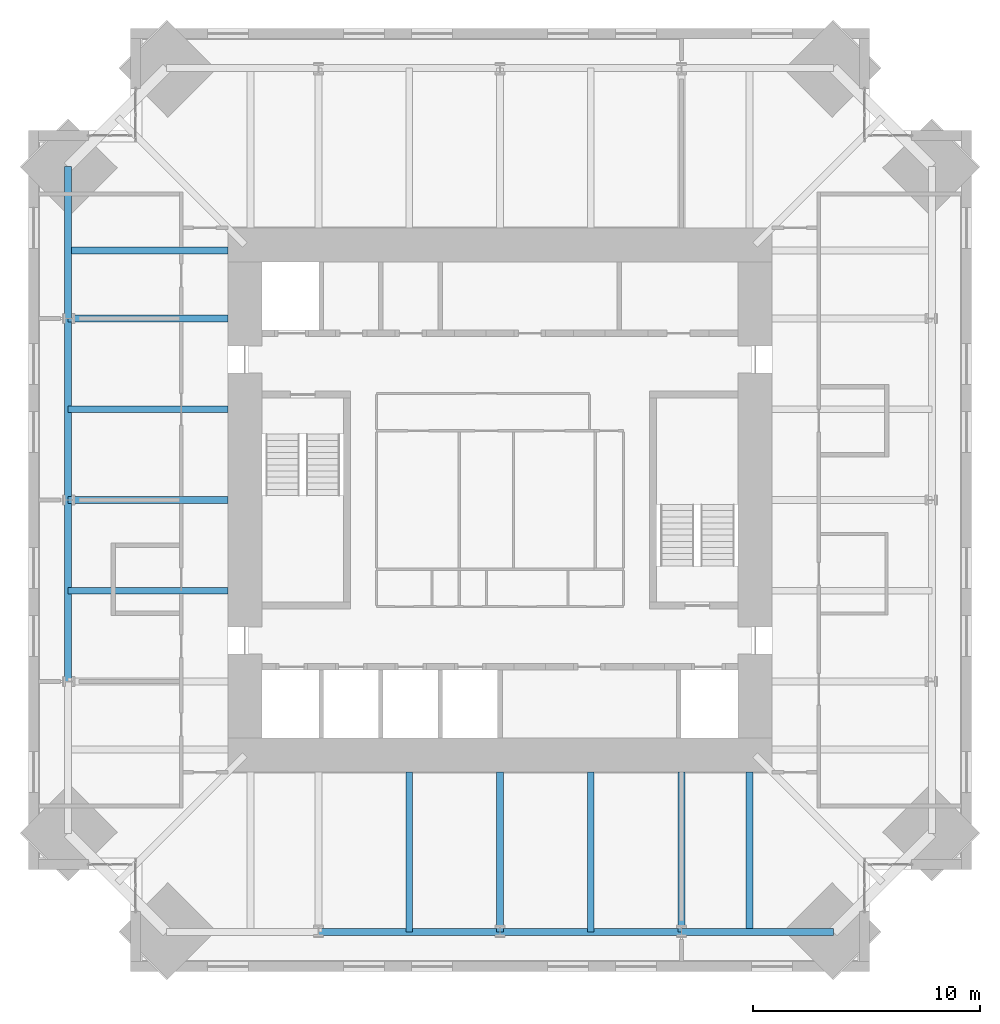
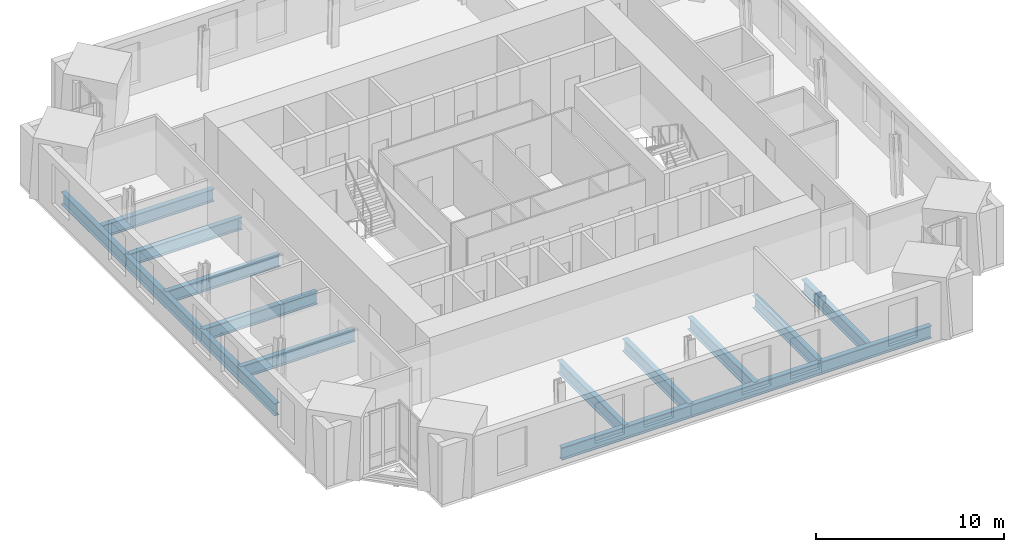
# One storey, part 3 of 15: 16 beams.
"""IFC4 building model written with IfcOpenShell, lengths in metres."""

from ifc_helpers import new_model, si_unit, direction, frame, origin, origin_2d, place, context, subcontext, project, spatial, i_section, extrude, material, material_profile, profile_set, type_object, element, save


model = new_model("IFC4")

# Units and contexts
model_context = context("Model", 3, precision=1e-05, world=origin(), true_north=direction((0.0, 1.0)))
body_context = subcontext(model_context, "Body", "Model", "MODEL_VIEW")
ifc_project = project(units=[si_unit("LENGTHUNIT", "METRE"), si_unit("AREAUNIT", "SQUARE_METRE"), si_unit("VOLUMEUNIT", "CUBIC_METRE"), si_unit("PLANEANGLEUNIT", "RADIAN"), si_unit("MASSUNIT", "GRAM", prefix="KILO")], contexts=[model_context])

# Site, building, storey
site_placement = place(None, origin())
site = spatial("IfcSite", under=ifc_project, at=site_placement, CompositionType="ELEMENT")
building_placement = place(site_placement, origin())
building = spatial("IfcBuilding", under=site, at=building_placement, Name="Peilmerk Tower", CompositionType="ELEMENT")
storey_placement = place(building_placement, frame((0.0, 0.0, 293.800048828125)))
storey = spatial("IfcBuildingStorey", under=building, at=storey_placement, Name="L66", CompositionType="ELEMENT", Elevation=293.800048828125)

# Beams
ifc_material = material(Name="Steel S460", Category="steel")
ifc_material_profile_1 = material_profile(ifc_material, i_section(OverallWidth=0.302978515625, OverallDepth=0.81396484375, WebThickness=0.02099609375, FlangeThickness=0.0400390625, at=origin_2d()), Name="HEM 800")
ifc_profile_set_1 = profile_set([ifc_material_profile_1], Name="Steel S460")
beam_type_1 = type_object("IfcBeamType", Name="B26 HEM 800 floor beam", PredefinedType="BEAM", material=ifc_profile_set_1)
for number, where, z_axis, x_axis, name in (
    (1, (-4.0, -12.0, -0.5771484375), (0.0, -1.0, 0.0), (1.0, 0.0, 0.0), "Floor beam L66"),
    (2, (0.0, -12.0, -0.5771484375), (0.0, -1.0, 0.0), (1.0, 0.0, 0.0), "Floor beam L66"),
    (3, (4.0, -12.0, -0.5771484375), (0.0, -1.0, 0.0), (1.0, 0.0, 0.0), "Floor beam L66"),
    (4, (8.0, -12.0, -0.5771484375), (0.0, -1.0, 0.0), (1.0, 0.0, 0.0), "Floor beam L66"),
    (5, (11.0, -12.0, -0.5771484375), (0.0, -1.0, 0.0), (1.0, 0.0, 0.0), "Floor beam L66"),
    (6, (-12.0, 11.0, -0.5771484375), (-1.0, 0.0, 0.0), (0.0, -1.0, 0.0), "Floor beam L66"),
    (7, (-12.0, 8.0, -0.5771484375), (-1.0, 0.0, 0.0), (0.0, -1.0, 0.0), "Floor beam L66"),
    (8, (-12.0, 4.0, -0.5771484375), (-1.0, 0.0, 0.0), (0.0, -1.0, 0.0), "Floor beam L66"),
    (9, (-12.0, 0.0, -0.5771484375), (-1.0, 0.0, 0.0), (0.0, -1.0, 0.0), "Floor beam L66"),
    (10, (-12.0, -4.0, -0.5771484375), (-1.0, 0.0, 0.0), (0.0, -1.0, 0.0), "Floor beam L66"),
):
    element("IfcBeam", number, at=place(storey_placement, frame(where, z_axis=z_axis, x_axis=x_axis)), inside=storey, type_object=beam_type_1, Name=name, PredefinedType="BEAM", context=body_context, shape_type="SweptSolid", body=[
        extrude(i_section(OverallWidth=0.302978515625, OverallDepth=0.81396484375, WebThickness=0.02099609375, FlangeThickness=0.0400390625, at=origin_2d()), origin(), (0.0, 0.0, 1.0), 7.050048828125),
    ])
ifc_material_profile_2 = material_profile(ifc_material, i_section(OverallWidth=0.302978515625, OverallDepth=0.81396484375, WebThickness=0.02099609375, FlangeThickness=0.0400390625, at=origin_2d()), Name="HEM 800")
ifc_profile_set_2 = profile_set([ifc_material_profile_2], Name="Steel S460")
beam_type_2 = type_object("IfcBeamType", Name="B35 HEM 800 edge beam", PredefinedType="SPANDREL", material=ifc_profile_set_2)
for number, where, z_axis, x_axis, name in (
    (11, (-8.0, -19.050048828125, -0.5771484375), (1.0, 0.0, 0.0), (0.0, 1.0, 0.0), "Edge beam L66"),
    (12, (0.0, -19.050048828125, -0.5771484375), (1.0, 0.0, 0.0), (0.0, 1.0, 0.0), "Edge beam L66"),
):
    element("IfcBeam", number, at=place(storey_placement, frame(where, z_axis=z_axis, x_axis=x_axis)), inside=storey, type_object=beam_type_2, Name=name, PredefinedType="SPANDREL", context=body_context, shape_type="SweptSolid", body=[
        extrude(i_section(OverallWidth=0.302978515625, OverallDepth=0.81396484375, WebThickness=0.02099609375, FlangeThickness=0.0400390625, at=origin_2d()), origin(), (0.0, 0.0, 1.0), 8.0),
    ])
for number, where, z_axis, x_axis, name in (
    (13, (8.0, -19.050048828125, -0.5771484375), (1.0, 0.0, 0.0), (0.0, 1.0, 0.0), "Edge beam L66"),
    (14, (-19.050048828125, 14.699951171875, -0.5771484375), (0.0, -1.0, 0.0), (1.0, 0.0, 0.0), "Edge beam L66"),
):
    element("IfcBeam", number, at=place(storey_placement, frame(where, z_axis=z_axis, x_axis=x_axis)), inside=storey, type_object=beam_type_2, Name=name, PredefinedType="SPANDREL", context=body_context, shape_type="SweptSolid", body=[
        extrude(i_section(OverallWidth=0.302978515625, OverallDepth=0.81396484375, WebThickness=0.02099609375, FlangeThickness=0.0400390625, at=origin_2d()), origin(), (0.0, 0.0, 1.0), 6.699951171875),
    ])
for number, where, z_axis, x_axis, name in (
    (15, (-19.050048828125, 8.0, -0.5771484375), (0.0, -1.0, 0.0), (1.0, 0.0, 0.0), "Edge beam L66"),
    (16, (-19.050048828125, 0.0, -0.5771484375), (0.0, -1.0, 0.0), (1.0, 0.0, 0.0), "Edge beam L66"),
):
    element("IfcBeam", number, at=place(storey_placement, frame(where, z_axis=z_axis, x_axis=x_axis)), inside=storey, type_object=beam_type_2, Name=name, PredefinedType="SPANDREL", context=body_context, shape_type="SweptSolid", body=[
        extrude(i_section(OverallWidth=0.302978515625, OverallDepth=0.81396484375, WebThickness=0.02099609375, FlangeThickness=0.0400390625, at=origin_2d()), origin(), (0.0, 0.0, 1.0), 8.0),
    ])

save(model, "model.ifc")
